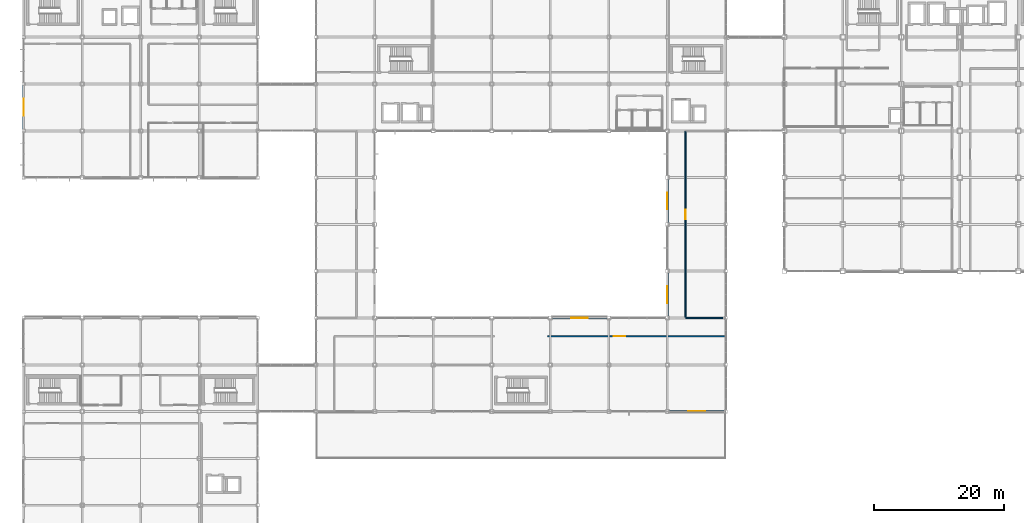
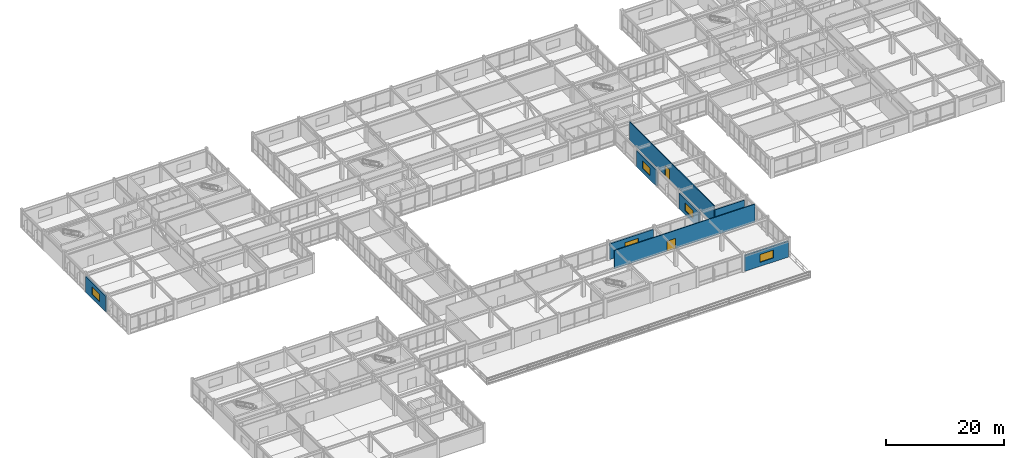
# One storey, part 100 of 122: 8 walls, 5 windows, 2 doors, 7 openings.
"""IFC4 building model written with IfcOpenShell, lengths in metres."""

from ifc_helpers import new_model, si_unit, direction, frame, frame_2d, origin, place, context, subcontext, project, spatial, rectangle, extrude, material, layer, layer_set, type_object, element, fill, save


model = new_model("IFC4")

# Units and contexts
model_context = context("Model", 3, precision=1e-05, world=origin(), true_north=direction((0.0, 1.0)))
body_context = subcontext(model_context, "Body", "Model", "MODEL_VIEW")
ifc_project = project(units=[si_unit("LENGTHUNIT", "METRE"), si_unit("AREAUNIT", "SQUARE_METRE"), si_unit("VOLUMEUNIT", "CUBIC_METRE"), si_unit("PLANEANGLEUNIT", "RADIAN"), si_unit("MASSUNIT", "GRAM", prefix="KILO")], contexts=[model_context])

# Site, building, storey
site_placement = place(None, origin())
site = spatial("IfcSite", under=ifc_project, at=site_placement, CompositionType="ELEMENT")
building_placement = place(site_placement, origin())
building = spatial("IfcBuilding", under=site, at=building_placement, Name="Kazanami Central Library", CompositionType="ELEMENT")
storey_placement = place(building_placement, frame((0.0, 0.0, 4.800048828125)))
storey = spatial("IfcBuildingStorey", under=building, at=storey_placement, Name="L02", CompositionType="ELEMENT", Elevation=4.800048828125)

# Wall, opening, window
ifc_material_1 = material(Name="Concrete Fc36 (36 MPa)", Category="concrete")
ifc_layer_1 = layer(ifc_material_1, 0.219970703125, Name="Concrete Fc36 (36 MPa)")
ifc_material_2 = material(Name="Extruded Polystyrene XPS", Category="earth")
ifc_layer_2 = layer(ifc_material_2, 0.050048828125, Name="Extruded Polystyrene XPS")
ifc_material_3 = material(Name="Honed Inada Granite", Category="masonry")
ifc_layer_3 = layer(ifc_material_3, 0.030029296875, Name="Honed Inada Granite")
ifc_layer_set_1 = layer_set([ifc_layer_1, ifc_layer_2, ifc_layer_3], Name="Concrete Fc36 (36 MPa)")
wall_type_1 = type_object("IfcWallType", Name="WAL-EW-300", PredefinedType="STANDARD", material=ifc_layer_set_1)
wall_1_placement = place(storey_placement, frame((0.0, 65.02490234375, 0.0), z_axis=(0.0, 0.0, 1.0), x_axis=(0.0, 1.0, 0.0)))
wall_1 = element("IfcWall", 1, at=wall_1_placement, inside=storey, type_object=wall_type_1, Name="Exterior Facade Wall EW-300 L02 W-1-09", PredefinedType="STANDARD", context=body_context, shape_type="SweptSolid", body=[
    extrude(rectangle(XDim=6.75, YDim=0.300048828125, at=frame_2d((3.375, 0.0))), origin(), (0.0, 0.0, 1.0), 3.2548828125),
])
opening_1_placement = place(wall_1_placement, frame((2.074951171875, 0.0, 0.85009765625)))
opening_1 = element("IfcOpeningElement", 2, at=opening_1_placement, cuts=wall_1, Name="Opening WN-13", PredefinedType="OPENING", context=body_context, shape_type="SweptSolid", body=[
    extrude(rectangle(XDim=2.60009765625, YDim=1.60009765625, at=frame_2d((1.300048828125, 0.800048828125))), frame((0.0, 0.162109375, 0.0), z_axis=(0.0, -1.0, 0.0), x_axis=(1.0, 0.0, 0.0)), (0.0, 0.0, 1.0), 0.323974609375),
])
ifc_material_4 = material(Name="Low-E Insulated Triple Glass", Category="glass")
window_type = type_object("IfcWindowType", Name="WIN-WN-13", PartitioningType="DOUBLE_PANEL_VERTICAL", PredefinedType="WINDOW", material=ifc_material_4)
window_1_placement = place(opening_1_placement, origin())
window_1 = element("IfcWindow", 3, at=window_1_placement, inside=storey, type_object=window_type, Name="Facade Window WN-13 L02 W-1-09", OverallHeight=1.60009765625, OverallWidth=2.60009765625, PartitioningType="DOUBLE_PANEL_VERTICAL", PredefinedType="WINDOW", context=body_context, shape_type="SweptSolid", body=[
    extrude(rectangle(XDim=2.60009765625, YDim=1.60009765625, at=frame_2d((1.300048828125, 0.800048828125))), frame((0.0, 0.030029296875, 0.0), z_axis=(0.0, -1.0, 0.0), x_axis=(1.0, 0.0, 0.0)), (0.0, 0.0, 1.0), 0.06005859375),
])
fill(opening_1, window_1)

wall_2_placement = place(storey_placement, frame((99.0, 36.27490234375, 0.0), z_axis=(0.0, 0.0, 1.0), x_axis=(0.0, 1.0, 0.0)))
wall_2 = element("IfcWall", 4, at=wall_2_placement, inside=storey, type_object=wall_type_1, Name="Exterior Facade Wall EW-300 L02 W-12-05", PredefinedType="STANDARD", context=body_context, shape_type="SweptSolid", body=[
    extrude(rectangle(XDim=6.650146484375, YDim=0.300048828125, at=frame_2d((3.3251953125, 0.0))), origin(), (0.0, 0.0, 1.0), 3.2548828125),
])
opening_2_placement = place(wall_2_placement, frame((2.02490234375, 0.0, 0.85009765625)))
opening_2 = element("IfcOpeningElement", 5, at=opening_2_placement, cuts=wall_2, Name="Opening WN-13", PredefinedType="OPENING", context=body_context, shape_type="SweptSolid", body=[
    extrude(rectangle(XDim=2.60009765625, YDim=1.60009765625, at=frame_2d((1.300048828125, 0.800048828125))), frame((0.0, 0.162109375, 0.0), z_axis=(0.0, -1.0, 0.0), x_axis=(1.0, 0.0, 0.0)), (0.0, 0.0, 1.0), 0.323974609375),
])
window_2_placement = place(opening_2_placement, origin())
window_2 = element("IfcWindow", 6, at=window_2_placement, inside=storey, type_object=window_type, Name="Facade Window WN-13 L02 W-12-05", OverallHeight=1.60009765625, OverallWidth=2.60009765625, PartitioningType="DOUBLE_PANEL_VERTICAL", PredefinedType="WINDOW", context=body_context, shape_type="SweptSolid", body=[
    extrude(rectangle(XDim=2.60009765625, YDim=1.60009765625, at=frame_2d((1.300048828125, 0.800048828125))), frame((0.0, 0.030029296875, 0.0), z_axis=(0.0, -1.0, 0.0), x_axis=(1.0, 0.0, 0.0)), (0.0, 0.0, 1.0), 0.06005859375),
])
fill(opening_2, window_2)

wall_3_placement = place(storey_placement, frame((99.0, 50.675048828125, 0.0), z_axis=(0.0, 0.0, 1.0), x_axis=(0.0, 1.0, 0.0)))
wall_3 = element("IfcWall", 7, at=wall_3_placement, inside=storey, type_object=wall_type_1, Name="Exterior Facade Wall EW-300 L02 W-12-07", PredefinedType="STANDARD", context=body_context, shape_type="SweptSolid", body=[
    extrude(rectangle(XDim=6.64990234375, YDim=0.300048828125, at=frame_2d((3.324951171875, 0.0))), origin(), (0.0, 0.0, 1.0), 3.2548828125),
])
opening_3_placement = place(wall_3_placement, frame((2.02490234375, 0.0, 0.85009765625)))
opening_3 = element("IfcOpeningElement", 8, at=opening_3_placement, cuts=wall_3, Name="Opening WN-13", PredefinedType="OPENING", context=body_context, shape_type="SweptSolid", body=[
    extrude(rectangle(XDim=2.60009765625, YDim=1.60009765625, at=frame_2d((1.300048828125, 0.800048828125))), frame((0.0, 0.162109375, 0.0), z_axis=(0.0, -1.0, 0.0), x_axis=(1.0, 0.0, 0.0)), (0.0, 0.0, 1.0), 0.323974609375),
])
window_3_placement = place(opening_3_placement, origin())
window_3 = element("IfcWindow", 9, at=window_3_placement, inside=storey, type_object=window_type, Name="Facade Window WN-13 L02 W-12-07", OverallHeight=1.60009765625, OverallWidth=2.60009765625, PartitioningType="DOUBLE_PANEL_VERTICAL", PredefinedType="WINDOW", context=body_context, shape_type="SweptSolid", body=[
    extrude(rectangle(XDim=2.60009765625, YDim=1.60009765625, at=frame_2d((1.300048828125, 0.800048828125))), frame((0.0, 0.030029296875, 0.0), z_axis=(0.0, -1.0, 0.0), x_axis=(1.0, 0.0, 0.0)), (0.0, 0.0, 1.0), 0.06005859375),
])
fill(opening_3, window_3)

ifc_layer_4 = layer(ifc_material_1, 0.239990234375, Name="Concrete Fc36 (36 MPa)")
ifc_layer_5 = layer(ifc_material_2, 0.050048828125, Name="Extruded Polystyrene XPS")
ifc_layer_6 = layer(ifc_material_3, 0.030029296875, Name="Honed Inada Granite")
ifc_layer_set_2 = layer_set([ifc_layer_4, ifc_layer_5, ifc_layer_6], Name="Concrete Fc36 (36 MPa)")
wall_type_2 = type_object("IfcWallType", Name="WAL-EW-320", PredefinedType="STANDARD", material=ifc_layer_set_2)
wall_4_placement = place(storey_placement, frame((99.27490234375, 21.60009765625, 0.0), z_axis=(0.0, 0.0, 1.0), x_axis=(1.0, 0.0, 0.0)))
wall_4 = element("IfcWall", 10, at=wall_4_placement, inside=storey, type_object=wall_type_2, Name="Exterior Facade Wall EW-320 L02 S-D-11", PredefinedType="STANDARD", context=body_context, shape_type="SweptSolid", body=[
    extrude(rectangle(XDim=8.5, YDim=0.320068359375, at=frame_2d((4.25, 0.0))), origin(), (0.0, 0.0, 1.0), 3.2548828125),
])
opening_4_placement = place(wall_4_placement, frame((2.949951171875, 0.0, 0.85009765625)))
opening_4 = element("IfcOpeningElement", 11, at=opening_4_placement, cuts=wall_4, Name="Opening WN-13", PredefinedType="OPENING", context=body_context, shape_type="SweptSolid", body=[
    extrude(rectangle(XDim=2.60009765625, YDim=1.60009765625, at=frame_2d((1.300048828125, 0.800048828125))), frame((0.0, 0.171875, 0.0), z_axis=(0.0, -1.0, 0.0), x_axis=(1.0, 0.0, 0.0)), (0.0, 0.0, 1.0), 0.343994140625),
])
window_4_placement = place(opening_4_placement, origin())
window_4 = element("IfcWindow", 12, at=window_4_placement, inside=storey, type_object=window_type, Name="Facade Window WN-13 L02 S-D-11", OverallHeight=1.60009765625, OverallWidth=2.60009765625, PartitioningType="DOUBLE_PANEL_VERTICAL", PredefinedType="WINDOW", context=body_context, shape_type="SweptSolid", body=[
    extrude(rectangle(XDim=2.60009765625, YDim=1.60009765625, at=frame_2d((1.300048828125, 0.800048828125))), frame((0.0, 0.030029296875, 0.0), z_axis=(0.0, -1.0, 0.0), x_axis=(1.0, 0.0, 0.0)), (0.0, 0.0, 1.0), 0.06005859375),
])
fill(opening_4, window_4)

wall_5_placement = place(storey_placement, frame((89.72509765625, 36.0, 0.0), z_axis=(0.0, 0.0, 1.0), x_axis=(-1.0, 0.0, 0.0)))
wall_5 = element("IfcWall", 13, at=wall_5_placement, inside=storey, type_object=wall_type_2, Name="Exterior Facade Wall EW-320 L02 N-F-09", PredefinedType="STANDARD", context=body_context, shape_type="SweptSolid", body=[
    extrude(rectangle(XDim=8.4501953125, YDim=0.320068359375, at=frame_2d((4.22509765625, 0.0))), origin(), (0.0, 0.0, 1.0), 3.2548828125),
])
opening_5_placement = place(wall_5_placement, frame((2.925048828125, 0.0, 0.85009765625)))
opening_5 = element("IfcOpeningElement", 14, at=opening_5_placement, cuts=wall_5, Name="Opening WN-13", PredefinedType="OPENING", context=body_context, shape_type="SweptSolid", body=[
    extrude(rectangle(XDim=2.60009765625, YDim=1.60009765625, at=frame_2d((1.300048828125, 0.800048828125))), frame((0.0, 0.171875, 0.0), z_axis=(0.0, -1.0, 0.0), x_axis=(1.0, 0.0, 0.0)), (0.0, 0.0, 1.0), 0.343994140625),
])
window_5_placement = place(opening_5_placement, origin())
window_5 = element("IfcWindow", 15, at=window_5_placement, inside=storey, type_object=window_type, Name="Facade Window WN-13 L02 N-F-09", OverallHeight=1.60009765625, OverallWidth=2.60009765625, PartitioningType="DOUBLE_PANEL_VERTICAL", PredefinedType="WINDOW", context=body_context, shape_type="SweptSolid", body=[
    extrude(rectangle(XDim=2.60009765625, YDim=1.60009765625, at=frame_2d((1.300048828125, 0.800048828125))), frame((0.0, 0.030029296875, 0.0), z_axis=(0.0, -1.0, 0.0), x_axis=(1.0, 0.0, 0.0)), (0.0, 0.0, 1.0), 0.06005859375),
])
fill(opening_5, window_5)

# Wall, opening, door
ifc_material_5 = material(Name="Fire-Resistant Gypsum Board GB-F", Category="gypsum")
ifc_layer_7 = layer(ifc_material_5, 0.1650390625, Name="Fire-Resistant Gypsum Board GB-F")
ifc_layer_set_3 = layer_set([ifc_layer_7], Name="Fire-Resistant Gypsum Board GB-F")
wall_type_3 = type_object("IfcWallType", Name="WAL-FW-165", PredefinedType="PARTITIONING", material=ifc_layer_set_3)
wall_6_placement = place(storey_placement, frame((80.60009765625, 33.199951171875, 0.0), z_axis=(0.0, 0.0, 1.0), x_axis=(1.0, 0.0, 0.0)))
wall_6 = element("IfcWall", 16, at=wall_6_placement, inside=storey, type_object=wall_type_3, Name="Interior Partition FW-165 L02 RM-30 (North)", PredefinedType="PARTITIONING", context=body_context, shape_type="SweptSolid", body=[
    extrude(rectangle(XDim=27.364990234375, YDim=0.1650390625, at=frame_2d((13.6826171875, 0.0))), origin(), (0.0, 0.0, 1.0), 3.7548828125),
])
opening_6_placement = place(wall_6_placement, frame((10.199951171875, 0.0, 0.0)))
opening_6 = element("IfcOpeningElement", 17, at=opening_6_placement, cuts=wall_6, Name="Opening FD30-4", PredefinedType="OPENING", context=body_context, shape_type="SweptSolid", body=[
    extrude(rectangle(XDim=1.699951171875, YDim=2.1201171875, at=frame_2d((0.85009765625, 1.06005859375))), frame((0.0, 0.094482421875, 0.0), z_axis=(0.0, -1.0, 0.0), x_axis=(1.0, 0.0, 0.0)), (0.0, 0.0, 1.0), 0.18896484375),
])
ifc_material_6 = material(Name="Cold-Rolled Steel SPCC", Category="steel")
door_type_1 = type_object("IfcDoorType", Name="DOR-FD30-4", OperationType="DOUBLE_DOOR_SINGLE_SWING", PredefinedType="DOOR", material=ifc_material_6)
door_1_placement = place(opening_6_placement, origin())
door_1 = element("IfcDoor", 18, at=door_1_placement, inside=storey, type_object=door_type_1, Name="Interior Door FD30-4 L02 RM-30", OperationType="DOUBLE_DOOR_SINGLE_SWING", OverallHeight=2.1201171875, OverallWidth=1.699951171875, PredefinedType="DOOR", context=body_context, shape_type="SweptSolid", body=[
    extrude(rectangle(XDim=1.699951171875, YDim=2.1201171875, at=frame_2d((0.85009765625, 1.06005859375))), frame((0.0, 0.02490234375, 0.0), z_axis=(0.0, -1.0, 0.0), x_axis=(1.0, 0.0, 0.0)), (0.0, 0.0, 1.0), 0.050048828125),
])
fill(opening_6, door_1)

# Wall
wall_7_placement = place(storey_placement, frame((101.800048828125, 36.0, 0.0), z_axis=(0.0, 0.0, 1.0), x_axis=(1.0, 0.0, 0.0)))
element("IfcWall", 19, at=wall_7_placement, inside=storey, type_object=wall_type_3, Name="Interior Partition FW-165 L02 RM-32 (South)", PredefinedType="PARTITIONING", context=body_context, shape_type="SweptSolid", body=[
    extrude(rectangle(XDim=5.744873046875, YDim=0.1650390625, at=frame_2d((2.87255859375, 0.0))), origin(), (0.0, 0.0, 1.0), 3.034912109375),
])

# Wall, opening, door
wall_8_placement = place(storey_placement, frame((101.800048828125, 36.090087890625, 0.0), z_axis=(0.0, 0.0, 1.0), x_axis=(0.0, 1.0, 0.0)))
wall_8 = element("IfcWall", 20, at=wall_8_placement, inside=storey, type_object=wall_type_3, Name="Interior Partition FW-165 L02 RM-32 (West)", PredefinedType="PARTITIONING", context=body_context, shape_type="SweptSolid", body=[
    extrude(rectangle(XDim=28.619873046875, YDim=0.1650390625, at=frame_2d((14.31005859375, 0.0))), origin(), (0.0, 0.0, 1.0), 3.7548828125),
])
opening_7_placement = place(wall_8_placement, frame((15.110107421875, 0.0, 0.0)))
opening_7 = element("IfcOpeningElement", 21, at=opening_7_placement, cuts=wall_8, Name="Opening FD30-6", PredefinedType="OPENING", context=body_context, shape_type="SweptSolid", body=[
    extrude(rectangle(XDim=1.449951171875, YDim=2.10009765625, at=frame_2d((0.72509765625, 1.050048828125))), frame((0.0, 0.094482421875, 0.0), z_axis=(0.0, -1.0, 0.0), x_axis=(1.0, 0.0, 0.0)), (0.0, 0.0, 1.0), 0.18896484375),
])
door_type_2 = type_object("IfcDoorType", Name="DOR-FD30-6", OperationType="DOUBLE_DOOR_SINGLE_SWING", PredefinedType="DOOR", material=ifc_material_6)
door_2_placement = place(opening_7_placement, origin())
door_2 = element("IfcDoor", 22, at=door_2_placement, inside=storey, type_object=door_type_2, Name="Interior Door FD30-6 L02 RM-32", OperationType="DOUBLE_DOOR_SINGLE_SWING", OverallHeight=2.10009765625, OverallWidth=1.449951171875, PredefinedType="DOOR", context=body_context, shape_type="SweptSolid", body=[
    extrude(rectangle(XDim=1.449951171875, YDim=2.10009765625, at=frame_2d((0.72509765625, 1.050048828125))), frame((0.0, 0.02490234375, 0.0), z_axis=(0.0, -1.0, 0.0), x_axis=(1.0, 0.0, 0.0)), (0.0, 0.0, 1.0), 0.050048828125),
])
fill(opening_7, door_2)

save(model, "model.ifc")
